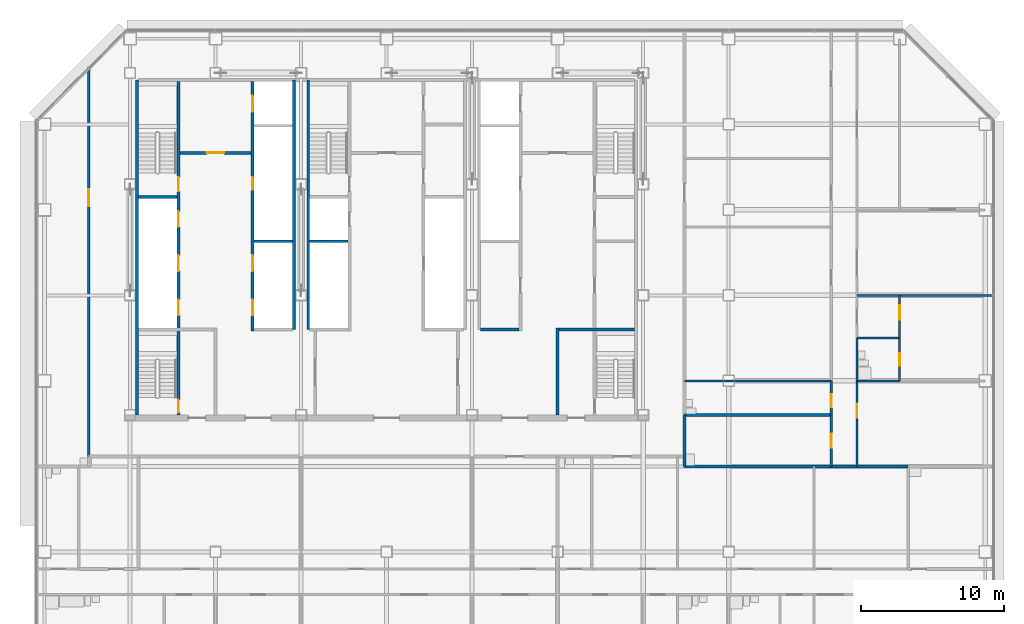
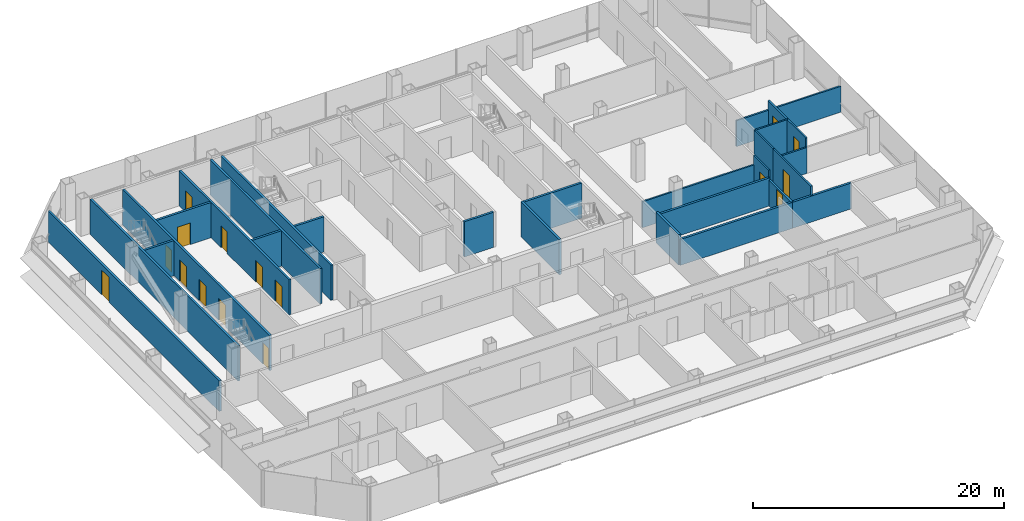
# One storey, part 22 of 27: 27 walls, 16 doors, 16 openings.
"""IFC4 building model written with IfcOpenShell, lengths in metres."""

from ifc_helpers import new_model, si_unit, direction, frame, frame_2d, origin, place, context, subcontext, project, spatial, rectangle, extrude, material, layer, layer_set, type_object, element, fill, save


model = new_model("IFC4")

# Units and contexts
model_context = context("Model", 3, precision=1e-05, world=origin(), true_north=direction((0.0, 1.0)))
body_context = subcontext(model_context, "Body", "Model", "MODEL_VIEW")
ifc_project = project(units=[si_unit("LENGTHUNIT", "METRE"), si_unit("AREAUNIT", "SQUARE_METRE"), si_unit("VOLUMEUNIT", "CUBIC_METRE"), si_unit("PLANEANGLEUNIT", "RADIAN"), si_unit("MASSUNIT", "GRAM", prefix="KILO")], contexts=[model_context])

# Site, building, storey
site_placement = place(None, origin())
site = spatial("IfcSite", under=ifc_project, at=site_placement, CompositionType="ELEMENT")
building_placement = place(site_placement, origin())
building = spatial("IfcBuilding", under=site, at=building_placement, Name="Sorahane Residences", CompositionType="ELEMENT")
storey_placement = place(building_placement, frame((0.0, 0.0, 57.0)))
storey = spatial("IfcBuildingStorey", under=building, at=storey_placement, Name="L10", CompositionType="ELEMENT", Elevation=57.0)

# Walls
ifc_material_1 = material(Name="Concrete C30", Category="concrete")
ifc_layer_1 = layer(ifc_material_1, 0.199951171875)
ifc_layer_set_1 = layer_set([ifc_layer_1], Name="Core face wall 200 EI 180")
wall_type_1 = type_object("IfcWallType", Name="Core face wall 200 EI 180", PredefinedType="SOLIDWALL", material=ifc_layer_set_1)
wall_1_placement = place(storey_placement, frame((6.5, 21.60009765625, 0.0), z_axis=(0.0, 0.0, 1.0), x_axis=(0.0, 1.0, 0.0)))
element("IfcWall", 1, at=wall_1_placement, inside=storey, type_object=wall_type_1, Name="L10 core face wall", PredefinedType="SOLIDWALL", context=body_context, shape_type="SweptSolid", body=[
    extrude(rectangle(XDim=23.5, YDim=0.199951171875, at=frame_2d((11.75, 0.0))), origin(), (0.0, 0.0, 1.0), 3.419921875),
])
for number, where, z_axis, x_axis, name in (
    (2, (17.5, 27.60009765625, 0.0), (0.0, 0.0, 1.0), (0.0, 1.0, 0.0), "L10 core face wall"),
    (3, (18.5, 27.60009765625, 0.0), (0.0, 0.0, 1.0), (0.0, 1.0, 0.0), "L10 core face wall"),
):
    element("IfcWall", number, at=place(storey_placement, frame(where, z_axis=z_axis, x_axis=x_axis)), inside=storey, type_object=wall_type_1, Name=name, PredefinedType="SOLIDWALL", context=body_context, shape_type="SweptSolid", body=[
        extrude(rectangle(XDim=17.5, YDim=0.199951171875, at=frame_2d((8.75, 0.0))), origin(), (0.0, 0.0, 1.0), 3.419921875),
    ])

# Wall, opening, door
ifc_material_2 = material(Name="Concrete blockwork C20 wall", Category="masonry")
ifc_layer_2 = layer(ifc_material_2, 0.199951171875)
ifc_layer_set_2 = layer_set([ifc_layer_2], Name="Corridor wall 200 EI 120")
wall_type_2 = type_object("IfcWallType", Name="Corridor wall 200 EI 120", PredefinedType="SOLIDWALL", material=ifc_layer_set_2)
wall_2_placement = place(storey_placement, frame((3.10009765625, 18.699951171875, 0.0), z_axis=(0.0, 0.0, 1.0), x_axis=(0.0, 1.0, 0.0)))
wall_2 = element("IfcWall", 4, at=wall_2_placement, inside=storey, type_object=wall_type_2, Name="L10 corridor wall", PredefinedType="SOLIDWALL", context=body_context, shape_type="SweptSolid", body=[
    extrude(rectangle(XDim=27.2490234375, YDim=0.199951171875, at=frame_2d((13.62451171875, 0.0))), origin(), (0.0, 0.0, 1.0), 2.969970703125),
])
opening_1_placement = place(wall_2_placement, frame((17.5400390625, 0.0, 0.0)))
opening_1 = element("IfcOpeningElement", 5, at=opening_1_placement, cuts=wall_2, Name="Opening L10-43", PredefinedType="OPENING", context=body_context, shape_type="SweptSolid", body=[
    extrude(rectangle(XDim=1.199951171875, YDim=2.39990234375, at=frame_2d((0.60009765625, 1.199951171875))), frame((0.0, 0.10986328125, 0.0), z_axis=(0.0, -1.0, 0.0), x_axis=(1.0, 0.0, 0.0)), (0.0, 0.0, 1.0), 0.219970703125),
])
ifc_material_3 = material(Name="Steel", Category="steel")
door_type_1 = type_object("IfcDoorType", Name="Lobby door 1200x2400 FD60", OperationType="NOTDEFINED", PredefinedType="DOOR", material=ifc_material_3)
door_1_placement = place(opening_1_placement, origin())
door_1 = element("IfcDoor", 6, at=door_1_placement, inside=storey, type_object=door_type_1, Name="Lobby door L10-43", OperationType="SINGLE_SWING_LEFT", OverallHeight=2.39990234375, OverallWidth=1.199951171875, PredefinedType="DOOR", context=body_context, shape_type="SweptSolid", body=[
    extrude(rectangle(XDim=1.199951171875, YDim=2.39990234375, at=frame_2d((0.60009765625, 1.199951171875))), frame((0.0, 0.02490234375, 0.0), z_axis=(0.0, -1.0, 0.0), x_axis=(1.0, 0.0, 0.0)), (0.0, 0.0, 1.0), 0.050048828125),
])
fill(opening_1, door_1)

# Wall
ifc_material_4 = material(Name="Concrete C30", Category="concrete")
ifc_layer_3 = layer(ifc_material_4, 0.199951171875)
ifc_layer_set_3 = layer_set([ifc_layer_3], Name="Front room wall 200 EI 120")
wall_type_3 = type_object("IfcWallType", Name="Front room wall 200 EI 120", PredefinedType="PARTITIONING", material=ifc_layer_set_3)
wall_3_placement = place(storey_placement, frame((36.0, 21.60009765625, 0.0), z_axis=(0.0, 0.0, 1.0), x_axis=(0.0, 1.0, 0.0)))
element("IfcWall", 7, at=wall_3_placement, inside=storey, type_object=wall_type_3, Name="L10 front room wall", PredefinedType="PARTITIONING", context=body_context, shape_type="SweptSolid", body=[
    extrude(rectangle(XDim=6.099853515625, YDim=0.199951171875, at=frame_2d((3.0498046875, 0.0))), origin(), (0.0, 0.0, 1.0), 3.419921875),
])

# Wall, opening, door
wall_4_placement = place(storey_placement, frame((9.5, 40.0, 0.0), z_axis=(0.0, 0.0, 1.0), x_axis=(1.0, 0.0, 0.0)))
wall_4 = element("IfcWall", 8, at=wall_4_placement, inside=storey, type_object=wall_type_3, Name="L10 front room wall", PredefinedType="PARTITIONING", context=body_context, shape_type="SweptSolid", body=[
    extrude(rectangle(XDim=5.0, YDim=0.199951171875, at=frame_2d((2.5, 0.0))), origin(), (0.0, 0.0, 1.0), 3.419921875),
])
opening_2_placement = place(wall_4_placement, frame((1.89990234375, 0.0, 0.0)))
opening_2 = element("IfcOpeningElement", 9, at=opening_2_placement, cuts=wall_4, Name="Opening L10-C08", PredefinedType="OPENING", context=body_context, shape_type="SweptSolid", body=[
    extrude(rectangle(XDim=1.199951171875, YDim=2.10009765625, at=frame_2d((0.60009765625, 1.050048828125))), frame((0.0, 0.10986328125, 0.0), z_axis=(0.0, -1.0, 0.0), x_axis=(1.0, 0.0, 0.0)), (0.0, 0.0, 1.0), 0.219970703125),
])
ifc_material_5 = material(Name="Steel", Category="steel")
door_type_2 = type_object("IfcDoorType", Name="Front room door 1200x2100 FD120", OperationType="NOTDEFINED", PredefinedType="DOOR", material=ifc_material_5)
door_2_placement = place(opening_2_placement, frame((1.199951171875, 0.0, 0.0), z_axis=(0.0, 0.0, 1.0), x_axis=(-1.0, 0.0, 0.0)))
door_2 = element("IfcDoor", 10, at=door_2_placement, inside=storey, type_object=door_type_2, Name="Front room door Firefighting lobby FF1 front room L10", OperationType="DOUBLE_DOOR_SINGLE_SWING", OverallHeight=2.10009765625, OverallWidth=1.199951171875, PredefinedType="DOOR", context=body_context, shape_type="SweptSolid", body=[
    extrude(rectangle(XDim=1.199951171875, YDim=2.10009765625, at=frame_2d((0.60009765625, 1.050048828125))), frame((0.0, 0.02490234375, 0.0), z_axis=(0.0, -1.0, 0.0), x_axis=(1.0, 0.0, 0.0)), (0.0, 0.0, 1.0), 0.050048828125),
])
fill(opening_2, door_2)

# Wall
ifc_material_6 = material(Name="Concrete blockwork C20 wall", Category="masonry")
ifc_layer_4 = layer(ifc_material_6, 0.199951171875)
ifc_layer_set_4 = layer_set([ifc_layer_4], Name="Kitchen wall 200 EI 180")
wall_type_4 = type_object("IfcWallType", Name="Kitchen wall 200 EI 180", PredefinedType="SOLIDWALL", material=ifc_layer_set_4)
wall_5_placement = place(storey_placement, frame((44.89990234375, 18.0, 0.0), z_axis=(0.0, 0.0, 1.0), x_axis=(0.0, 1.0, 0.0)))
element("IfcWall", 11, at=wall_5_placement, inside=storey, type_object=wall_type_4, Name="L10 kitchen wall", PredefinedType="SOLIDWALL", context=body_context, shape_type="SweptSolid", body=[
    extrude(rectangle(XDim=3.60009765625, YDim=0.199951171875, at=frame_2d((1.800048828125, 0.0))), origin(), (0.0, 0.0, 1.0), 2.969970703125),
])

# Wall, opening, door
wall_6_placement = place(storey_placement, frame((55.199951171875, 18.0, 0.0), z_axis=(0.0, 0.0, 1.0), x_axis=(0.0, 1.0, 0.0)))
wall_6 = element("IfcWall", 12, at=wall_6_placement, inside=storey, type_object=wall_type_4, Name="L10 kitchen wall", PredefinedType="SOLIDWALL", context=body_context, shape_type="SweptSolid", body=[
    extrude(rectangle(XDim=3.60009765625, YDim=0.199951171875, at=frame_2d((1.800048828125, 0.0))), origin(), (0.0, 0.0, 1.0), 2.52001953125),
])
opening_3_placement = place(wall_6_placement, frame((1.300048828125, 0.0, 0.0)))
opening_3 = element("IfcOpeningElement", 13, at=opening_3_placement, cuts=wall_6, Name="Opening L10-29", PredefinedType="OPENING", context=body_context, shape_type="SweptSolid", body=[
    extrude(rectangle(XDim=1.0, YDim=2.39990234375, at=frame_2d((0.5, 1.199951171875))), frame((0.0, 0.10986328125, 0.0), z_axis=(0.0, -1.0, 0.0), x_axis=(1.0, 0.0, 0.0)), (0.0, 0.0, 1.0), 0.219970703125),
])
ifc_material_7 = material(Name="Steel", Category="steel")
door_type_3 = type_object("IfcDoorType", Name="Kitchen door 1000x2400 FD120", OperationType="NOTDEFINED", PredefinedType="DOOR", material=ifc_material_7)
door_3_placement = place(opening_3_placement, origin())
door_3 = element("IfcDoor", 14, at=door_3_placement, inside=storey, type_object=door_type_3, Name="Kitchen door L10-29", OperationType="SINGLE_SWING_RIGHT", OverallHeight=2.39990234375, OverallWidth=1.0, PredefinedType="DOOR", context=body_context, shape_type="SweptSolid", body=[
    extrude(rectangle(XDim=1.0, YDim=2.39990234375, at=frame_2d((0.5, 1.199951171875))), frame((0.0, 0.02490234375, 0.0), z_axis=(0.0, -1.0, 0.0), x_axis=(1.0, 0.0, 0.0)), (0.0, 0.0, 1.0), 0.050048828125),
])
fill(opening_3, door_3)

# Walls
wall_7_placement = place(storey_placement, frame((44.89990234375, 18.0, 0.0), z_axis=(0.0, 0.0, 1.0), x_axis=(1.0, 0.0, 0.0)))
element("IfcWall", 15, at=wall_7_placement, inside=storey, type_object=wall_type_4, Name="L10 kitchen wall", PredefinedType="SOLIDWALL", context=body_context, shape_type="SweptSolid", body=[
    extrude(rectangle(XDim=10.300048828125, YDim=0.199951171875, at=frame_2d((5.14990234375, 0.0))), origin(), (0.0, 0.0, 1.0), 2.52001953125),
])
wall_8_placement = place(storey_placement, frame((44.89990234375, 21.60009765625, 0.0), z_axis=(0.0, 0.0, 1.0), x_axis=(1.0, 0.0, 0.0)))
element("IfcWall", 16, at=wall_8_placement, inside=storey, type_object=wall_type_4, Name="L10 kitchen wall", PredefinedType="SOLIDWALL", context=body_context, shape_type="SweptSolid", body=[
    extrude(rectangle(XDim=10.300048828125, YDim=0.199951171875, at=frame_2d((5.14990234375, 0.0))), origin(), (0.0, 0.0, 1.0), 2.719970703125),
])

# Wall, openings, doors
ifc_material_8 = material(Name="Concrete C30", Category="concrete")
ifc_layer_5 = layer(ifc_material_8, 0.199951171875)
ifc_layer_set_5 = layer_set([ifc_layer_5], Name="Lift shaft wall 200 EI 120")
wall_type_5 = type_object("IfcWallType", Name="Lift shaft wall 200 EI 120", PredefinedType="SOLIDWALL", material=ifc_layer_set_5)
wall_9_placement = place(storey_placement, frame((14.60009765625, 27.5, 0.0), z_axis=(0.0, 0.0, 1.0), x_axis=(0.0, 1.0, 0.0)))
wall_9 = element("IfcWall", 17, at=wall_9_placement, inside=storey, type_object=wall_type_5, Name="L10 lift shaft wall", PredefinedType="SOLIDWALL", context=body_context, shape_type="SweptSolid", body=[
    extrude(rectangle(XDim=17.5, YDim=0.199951171875, at=frame_2d((8.75, 0.0))), origin(), (0.0, 0.0, 1.0), 3.419921875),
])
opening_4_placement = place(wall_9_placement, frame((1.10009765625, 0.0, 0.0)))
opening_4 = element("IfcOpeningElement", 18, at=opening_4_placement, cuts=wall_9, Name="Opening L10-C12", PredefinedType="OPENING", context=body_context, shape_type="SweptSolid", body=[
    extrude(rectangle(XDim=1.10009765625, YDim=2.10009765625, at=frame_2d((0.550048828125, 1.050048828125))), frame((0.0, 0.10986328125, 0.0), z_axis=(0.0, -1.0, 0.0), x_axis=(1.0, 0.0, 0.0)), (0.0, 0.0, 1.0), 0.219970703125),
])
opening_5_placement = place(wall_9_placement, frame((4.199951171875, 0.0, 0.0)))
opening_5 = element("IfcOpeningElement", 19, at=opening_5_placement, cuts=wall_9, Name="Opening L10-C13", PredefinedType="OPENING", context=body_context, shape_type="SweptSolid", body=[
    extrude(rectangle(XDim=1.10009765625, YDim=2.10009765625, at=frame_2d((0.550048828125, 1.050048828125))), frame((0.0, 0.10986328125, 0.0), z_axis=(0.0, -1.0, 0.0), x_axis=(1.0, 0.0, 0.0)), (0.0, 0.0, 1.0), 0.219970703125),
])
opening_6_placement = place(wall_9_placement, frame((15.39990234375, 0.0, 0.0)))
opening_6 = element("IfcOpeningElement", 20, at=opening_6_placement, cuts=wall_9, Name="Opening L10-C14", PredefinedType="OPENING", context=body_context, shape_type="SweptSolid", body=[
    extrude(rectangle(XDim=1.10009765625, YDim=2.10009765625, at=frame_2d((0.550048828125, 1.050048828125))), frame((0.0, 0.10986328125, 0.0), z_axis=(0.0, -1.0, 0.0), x_axis=(1.0, 0.0, 0.0)), (0.0, 0.0, 1.0), 0.219970703125),
])
opening_7_placement = place(wall_9_placement, frame((9.89990234375, 0.0, 0.0)))
opening_7 = element("IfcOpeningElement", 21, at=opening_7_placement, cuts=wall_9, Name="Opening L10-C26", PredefinedType="OPENING", context=body_context, shape_type="SweptSolid", body=[
    extrude(rectangle(XDim=0.89990234375, YDim=2.10009765625, at=frame_2d((0.449951171875, 1.050048828125))), frame((0.0, 0.10986328125, 0.0), z_axis=(0.0, -1.0, 0.0), x_axis=(1.0, 0.0, 0.0)), (0.0, 0.0, 1.0), 0.219970703125),
])
ifc_material_9 = material(Name="Aluminium and stainless steel", Category="steel")
door_type_4 = type_object("IfcDoorType", Name="Lift landing door 1100x2100 E 60", OperationType="NOTDEFINED", PredefinedType="DOOR", material=ifc_material_9)
door_4_placement = place(opening_4_placement, origin())
door_4 = element("IfcDoor", 22, at=door_4_placement, inside=storey, type_object=door_type_4, Name="Lift landing door LR4 L10", OperationType="DOUBLE_DOOR_SLIDING", OverallHeight=2.10009765625, OverallWidth=1.10009765625, PredefinedType="DOOR", context=body_context, shape_type="SweptSolid", body=[
    extrude(rectangle(XDim=1.10009765625, YDim=2.10009765625, at=frame_2d((0.550048828125, 1.050048828125))), frame((0.0, 0.02490234375, 0.0), z_axis=(0.0, -1.0, 0.0), x_axis=(1.0, 0.0, 0.0)), (0.0, 0.0, 1.0), 0.050048828125),
])
fill(opening_4, door_4)
door_5_placement = place(opening_5_placement, origin())
door_5 = element("IfcDoor", 23, at=door_5_placement, inside=storey, type_object=door_type_4, Name="Lift landing door LR5 L10", OperationType="DOUBLE_DOOR_SLIDING", OverallHeight=2.10009765625, OverallWidth=1.10009765625, PredefinedType="DOOR", context=body_context, shape_type="SweptSolid", body=[
    extrude(rectangle(XDim=1.10009765625, YDim=2.10009765625, at=frame_2d((0.550048828125, 1.050048828125))), frame((0.0, 0.02490234375, 0.0), z_axis=(0.0, -1.0, 0.0), x_axis=(1.0, 0.0, 0.0)), (0.0, 0.0, 1.0), 0.050048828125),
])
fill(opening_5, door_5)
door_6_placement = place(opening_6_placement, origin())
door_6 = element("IfcDoor", 24, at=door_6_placement, inside=storey, type_object=door_type_4, Name="Lift landing door FF1 L10", OperationType="DOUBLE_DOOR_SLIDING", OverallHeight=2.10009765625, OverallWidth=1.10009765625, PredefinedType="DOOR", context=body_context, shape_type="SweptSolid", body=[
    extrude(rectangle(XDim=1.10009765625, YDim=2.10009765625, at=frame_2d((0.550048828125, 1.050048828125))), frame((0.0, 0.02490234375, 0.0), z_axis=(0.0, -1.0, 0.0), x_axis=(1.0, 0.0, 0.0)), (0.0, 0.0, 1.0), 0.050048828125),
])
fill(opening_6, door_6)
ifc_material_10 = material(Name="Steel", Category="steel")
door_type_5 = type_object("IfcDoorType", Name="Riser door 900x2100 FD120", OperationType="NOTDEFINED", PredefinedType="DOOR", material=ifc_material_10)
door_7_placement = place(opening_7_placement, origin())
door_7 = element("IfcDoor", 25, at=door_7_placement, inside=storey, type_object=door_type_5, Name="Riser door R1 L10", OperationType="SINGLE_SWING_LEFT", OverallHeight=2.10009765625, OverallWidth=0.89990234375, PredefinedType="DOOR", context=body_context, shape_type="SweptSolid", body=[
    extrude(rectangle(XDim=0.89990234375, YDim=2.10009765625, at=frame_2d((0.449951171875, 1.050048828125))), frame((0.0, 0.02490234375, 0.0), z_axis=(0.0, -1.0, 0.0), x_axis=(1.0, 0.0, 0.0)), (0.0, 0.0, 1.0), 0.050048828125),
])
fill(opening_7, door_7)

# Walls
for number, where, z_axis, x_axis, name in (
    (26, (14.699951171875, 33.800048828125, 0.0), (0.0, 0.0, 1.0), (1.0, 0.0, 0.0), "L10 lift shaft wall"),
    (27, (18.60009765625, 33.800048828125, 0.0), (0.0, 0.0, 1.0), (1.0, 0.0, 0.0), "L10 lift shaft wall"),
):
    element("IfcWall", number, at=place(storey_placement, frame(where, z_axis=z_axis, x_axis=x_axis)), inside=storey, type_object=wall_type_5, Name=name, PredefinedType="SOLIDWALL", context=body_context, shape_type="SweptSolid", body=[
        extrude(rectangle(XDim=2.699951171875, YDim=0.199951171875, at=frame_2d((1.35009765625, 0.0))), origin(), (0.0, 0.0, 1.0), 3.419921875),
    ])

# Wall, opening, door
ifc_material_11 = material(Name="Gypsum board partition on steel studs", Category="steel")
ifc_layer_6 = layer(ifc_material_11, 0.14990234375)
ifc_layer_set_6 = layer_set([ifc_layer_6], Name="Partition 150 EI 90")
wall_type_6 = type_object("IfcWallType", Name="Partition 150 EI 90", PredefinedType="PARTITIONING", material=ifc_layer_set_6)
wall_10_placement = place(storey_placement, frame((57.0, 18.0, 0.0), z_axis=(0.0, 0.0, 1.0), x_axis=(0.0, 1.0, 0.0)))
wall_10 = element("IfcWall", 28, at=wall_10_placement, inside=storey, type_object=wall_type_6, Name="L10 partition", PredefinedType="PARTITIONING", context=body_context, shape_type="SweptSolid", body=[
    extrude(rectangle(XDim=6.0, YDim=0.14990234375, at=frame_2d((3.0, 0.0))), origin(), (0.0, 0.0, 1.0), 3.419921875),
])
opening_8_placement = place(wall_10_placement, frame((3.39990234375, 0.0, 0.0)))
opening_8 = element("IfcOpeningElement", 29, at=opening_8_placement, cuts=wall_10, Name="Opening L10-33", PredefinedType="OPENING", context=body_context, shape_type="SweptSolid", body=[
    extrude(rectangle(XDim=1.0, YDim=2.39990234375, at=frame_2d((0.5, 1.199951171875))), frame((0.0, 0.0849609375, 0.0), z_axis=(0.0, -1.0, 0.0), x_axis=(1.0, 0.0, 0.0)), (0.0, 0.0, 1.0), 0.169921875),
])
ifc_material_12 = material(Name="Timber veneered fire door", Category="wood")
door_type_6 = type_object("IfcDoorType", Name="Room door 1000x2400 FD30", OperationType="NOTDEFINED", PredefinedType="DOOR", material=ifc_material_12)
door_8_placement = place(opening_8_placement, frame((1.0, 0.0, 0.0), z_axis=(0.0, 0.0, 1.0), x_axis=(-1.0, 0.0, 0.0)))
door_8 = element("IfcDoor", 30, at=door_8_placement, inside=storey, type_object=door_type_6, Name="Room door L10-33", OperationType="SINGLE_SWING_LEFT", OverallHeight=2.39990234375, OverallWidth=1.0, PredefinedType="DOOR", context=body_context, shape_type="SweptSolid", body=[
    extrude(rectangle(XDim=1.0, YDim=2.39990234375, at=frame_2d((0.5, 1.199951171875))), frame((0.0, 0.02490234375, 0.0), z_axis=(0.0, -1.0, 0.0), x_axis=(1.0, 0.0, 0.0)), (0.0, 0.0, 1.0), 0.050048828125),
])
fill(opening_8, door_8)

wall_11_placement = place(storey_placement, frame((60.0, 27.0, 0.0), z_axis=(0.0, 0.0, 1.0), x_axis=(0.0, 1.0, 0.0)))
wall_11 = element("IfcWall", 31, at=wall_11_placement, inside=storey, type_object=wall_type_6, Name="L10 partition", PredefinedType="PARTITIONING", context=body_context, shape_type="SweptSolid", body=[
    extrude(rectangle(XDim=3.0, YDim=0.14990234375, at=frame_2d((1.5, 0.0))), origin(), (0.0, 0.0, 1.0), 3.419921875),
])
opening_9_placement = place(wall_11_placement, frame((1.300048828125, 0.0, 0.0)))
opening_9 = element("IfcOpeningElement", 32, at=opening_9_placement, cuts=wall_11, Name="Opening L10-38", PredefinedType="OPENING", context=body_context, shape_type="SweptSolid", body=[
    extrude(rectangle(XDim=1.0, YDim=2.39990234375, at=frame_2d((0.5, 1.199951171875))), frame((0.0, 0.0849609375, 0.0), z_axis=(0.0, -1.0, 0.0), x_axis=(1.0, 0.0, 0.0)), (0.0, 0.0, 1.0), 0.169921875),
])
door_9_placement = place(opening_9_placement, frame((1.0, 0.0, 0.0), z_axis=(0.0, 0.0, 1.0), x_axis=(-1.0, 0.0, 0.0)))
door_9 = element("IfcDoor", 33, at=door_9_placement, inside=storey, type_object=door_type_6, Name="Room door L10-38", OperationType="SINGLE_SWING_RIGHT", OverallHeight=2.39990234375, OverallWidth=1.0, PredefinedType="DOOR", context=body_context, shape_type="SweptSolid", body=[
    extrude(rectangle(XDim=1.0, YDim=2.39990234375, at=frame_2d((0.5, 1.199951171875))), frame((0.0, 0.02490234375, 0.0), z_axis=(0.0, -1.0, 0.0), x_axis=(1.0, 0.0, 0.0)), (0.0, 0.0, 1.0), 0.050048828125),
])
fill(opening_9, door_9)

# Walls
wall_12_placement = place(storey_placement, frame((57.0, 30.0, 0.0), z_axis=(0.0, 0.0, 1.0), x_axis=(1.0, 0.0, 0.0)))
element("IfcWall", 34, at=wall_12_placement, inside=storey, type_object=wall_type_6, Name="L10 partition", PredefinedType="PARTITIONING", context=body_context, shape_type="SweptSolid", body=[
    extrude(rectangle(XDim=9.60009765625, YDim=0.14990234375, at=frame_2d((4.800048828125, 0.0))), origin(), (0.0, 0.0, 1.0), 2.52001953125),
])
ifc_material_13 = material(Name="Concrete blockwork C20 wall", Category="masonry")
ifc_layer_7 = layer(ifc_material_13, 0.199951171875)
ifc_layer_set_7 = layer_set([ifc_layer_7], Name="Party wall 200 EI 120")
wall_type_7 = type_object("IfcWallType", Name="Party wall 200 EI 120", PredefinedType="SOLIDWALL", material=ifc_layer_set_7)
wall_13_placement = place(storey_placement, frame((55.199951171875, 18.0, 0.0), z_axis=(0.0, 0.0, 1.0), x_axis=(1.0, 0.0, 0.0)))
element("IfcWall", 35, at=wall_13_placement, inside=storey, type_object=wall_type_7, Name="L10 party wall", PredefinedType="SOLIDWALL", context=body_context, shape_type="SweptSolid", body=[
    extrude(rectangle(XDim=5.400146484375, YDim=0.199951171875, at=frame_2d((2.7001953125, 0.0))), origin(), (0.0, 0.0, 1.0), 2.52001953125),
])
ifc_material_14 = material(Name="Concrete C30", Category="concrete")
ifc_layer_8 = layer(ifc_material_14, 0.199951171875)
ifc_layer_set_8 = layer_set([ifc_layer_8], Name="Service room partition 200 EI 60")
wall_type_8 = type_object("IfcWallType", Name="Service room partition 200 EI 60", PredefinedType="PARTITIONING", material=ifc_layer_set_8)
wall_14_placement = place(storey_placement, frame((30.60009765625, 27.60009765625, 0.0), z_axis=(0.0, 0.0, 1.0), x_axis=(1.0, 0.0, 0.0)))
element("IfcWall", 36, at=wall_14_placement, inside=storey, type_object=wall_type_8, Name="L10 service room wall", PredefinedType="PARTITIONING", context=body_context, shape_type="SweptSolid", body=[
    extrude(rectangle(XDim=2.699951171875, YDim=0.199951171875, at=frame_2d((1.35009765625, 0.0))), origin(), (0.0, 0.0, 1.0), 3.419921875),
])

# Wall, openings, doors
ifc_material_15 = material(Name="Concrete C30", Category="concrete")
ifc_layer_9 = layer(ifc_material_15, 0.199951171875)
ifc_layer_set_9 = layer_set([ifc_layer_9], Name="Stair enclosure wall 200 EI 120")
wall_type_9 = type_object("IfcWallType", Name="Stair enclosure wall 200 EI 120", PredefinedType="SOLIDWALL", material=ifc_layer_set_9)
wall_15_placement = place(storey_placement, frame((9.39990234375, 21.60009765625, 0.0), z_axis=(0.0, 0.0, 1.0), x_axis=(0.0, 1.0, 0.0)))
wall_15 = element("IfcWall", 37, at=wall_15_placement, inside=storey, type_object=wall_type_9, Name="L10 stair enclosure wall", PredefinedType="SOLIDWALL", context=body_context, shape_type="SweptSolid", body=[
    extrude(rectangle(XDim=23.39990234375, YDim=0.199951171875, at=frame_2d((11.699951171875, 0.0))), origin(), (0.0, 0.0, 1.0), 3.419921875),
])
opening_10_placement = place(wall_15_placement, frame((7.0, 0.0, 0.0)))
opening_10 = element("IfcOpeningElement", 38, at=opening_10_placement, cuts=wall_15, Name="Opening L10-C15", PredefinedType="OPENING", context=body_context, shape_type="SweptSolid", body=[
    extrude(rectangle(XDim=1.10009765625, YDim=2.10009765625, at=frame_2d((0.550048828125, 1.050048828125))), frame((0.0, 0.10986328125, 0.0), z_axis=(0.0, -1.0, 0.0), x_axis=(1.0, 0.0, 0.0)), (0.0, 0.0, 1.0), 0.219970703125),
])
opening_11_placement = place(wall_15_placement, frame((10.10009765625, 0.0, 0.0)))
opening_11 = element("IfcOpeningElement", 39, at=opening_11_placement, cuts=wall_15, Name="Opening L10-C16", PredefinedType="OPENING", context=body_context, shape_type="SweptSolid", body=[
    extrude(rectangle(XDim=1.10009765625, YDim=2.10009765625, at=frame_2d((0.550048828125, 1.050048828125))), frame((0.0, 0.10986328125, 0.0), z_axis=(0.0, -1.0, 0.0), x_axis=(1.0, 0.0, 0.0)), (0.0, 0.0, 1.0), 0.219970703125),
])
opening_12_placement = place(wall_15_placement, frame((13.199951171875, 0.0, 0.0)))
opening_12 = element("IfcOpeningElement", 40, at=opening_12_placement, cuts=wall_15, Name="Opening L10-C17", PredefinedType="OPENING", context=body_context, shape_type="SweptSolid", body=[
    extrude(rectangle(XDim=1.10009765625, YDim=2.10009765625, at=frame_2d((0.550048828125, 1.050048828125))), frame((0.0, 0.10986328125, 0.0), z_axis=(0.0, -1.0, 0.0), x_axis=(1.0, 0.0, 0.0)), (0.0, 0.0, 1.0), 0.219970703125),
])
opening_13_placement = place(wall_15_placement, frame((15.699951171875, 0.0, 0.0)))
opening_13 = element("IfcOpeningElement", 41, at=opening_13_placement, cuts=wall_15, Name="Opening L10-C21", PredefinedType="OPENING", context=body_context, shape_type="SweptSolid", body=[
    extrude(rectangle(XDim=1.0, YDim=2.10009765625, at=frame_2d((0.5, 1.050048828125))), frame((0.0, 0.10986328125, 0.0), z_axis=(0.0, -1.0, 0.0), x_axis=(1.0, 0.0, 0.0)), (0.0, 0.0, 1.0), 0.219970703125),
])
opening_14_placement = place(wall_15_placement, frame((0.175048828125, 0.0, 0.0)))
opening_14 = element("IfcOpeningElement", 42, at=opening_14_placement, cuts=wall_15, Name="Opening L10-C24", PredefinedType="OPENING", context=body_context, shape_type="SweptSolid", body=[
    extrude(rectangle(XDim=0.89990234375, YDim=2.10009765625, at=frame_2d((0.449951171875, 1.050048828125))), frame((0.0, 0.10986328125, 0.0), z_axis=(0.0, -1.0, 0.0), x_axis=(1.0, 0.0, 0.0)), (0.0, 0.0, 1.0), 0.219970703125),
])
door_10_placement = place(opening_10_placement, origin())
door_10 = element("IfcDoor", 43, at=door_10_placement, inside=storey, type_object=door_type_4, Name="Lift landing door LR1 L10", OperationType="DOUBLE_DOOR_SLIDING", OverallHeight=2.10009765625, OverallWidth=1.10009765625, PredefinedType="DOOR", context=body_context, shape_type="SweptSolid", body=[
    extrude(rectangle(XDim=1.10009765625, YDim=2.10009765625, at=frame_2d((0.550048828125, 1.050048828125))), frame((0.0, 0.02490234375, 0.0), z_axis=(0.0, -1.0, 0.0), x_axis=(1.0, 0.0, 0.0)), (0.0, 0.0, 1.0), 0.050048828125),
])
fill(opening_10, door_10)
door_11_placement = place(opening_11_placement, origin())
door_11 = element("IfcDoor", 44, at=door_11_placement, inside=storey, type_object=door_type_4, Name="Lift landing door LR2 L10", OperationType="DOUBLE_DOOR_SLIDING", OverallHeight=2.10009765625, OverallWidth=1.10009765625, PredefinedType="DOOR", context=body_context, shape_type="SweptSolid", body=[
    extrude(rectangle(XDim=1.10009765625, YDim=2.10009765625, at=frame_2d((0.550048828125, 1.050048828125))), frame((0.0, 0.02490234375, 0.0), z_axis=(0.0, -1.0, 0.0), x_axis=(1.0, 0.0, 0.0)), (0.0, 0.0, 1.0), 0.050048828125),
])
fill(opening_11, door_11)
door_12_placement = place(opening_12_placement, origin())
door_12 = element("IfcDoor", 45, at=door_12_placement, inside=storey, type_object=door_type_4, Name="Lift landing door LR3 L10", OperationType="DOUBLE_DOOR_SLIDING", OverallHeight=2.10009765625, OverallWidth=1.10009765625, PredefinedType="DOOR", context=body_context, shape_type="SweptSolid", body=[
    extrude(rectangle(XDim=1.10009765625, YDim=2.10009765625, at=frame_2d((0.550048828125, 1.050048828125))), frame((0.0, 0.02490234375, 0.0), z_axis=(0.0, -1.0, 0.0), x_axis=(1.0, 0.0, 0.0)), (0.0, 0.0, 1.0), 0.050048828125),
])
fill(opening_12, door_12)
ifc_material_16 = material(Name="Steel", Category="steel")
door_type_7 = type_object("IfcDoorType", Name="Stair door 1000x2100 FD120", OperationType="NOTDEFINED", PredefinedType="DOOR", material=ifc_material_16)
door_13_placement = place(opening_13_placement, origin())
door_13 = element("IfcDoor", 46, at=door_13_placement, inside=storey, type_object=door_type_7, Name="Stair door S1 L10", OperationType="SINGLE_SWING_LEFT", OverallHeight=2.10009765625, OverallWidth=1.0, PredefinedType="DOOR", context=body_context, shape_type="SweptSolid", body=[
    extrude(rectangle(XDim=1.0, YDim=2.10009765625, at=frame_2d((0.5, 1.050048828125))), frame((0.0, 0.02490234375, 0.0), z_axis=(0.0, -1.0, 0.0), x_axis=(1.0, 0.0, 0.0)), (0.0, 0.0, 1.0), 0.050048828125),
])
fill(opening_13, door_13)
ifc_material_17 = material(Name="Steel", Category="steel")
door_type_8 = type_object("IfcDoorType", Name="Stair door 900x2100 FD120", OperationType="NOTDEFINED", PredefinedType="DOOR", material=ifc_material_17)
door_14_placement = place(opening_14_placement, origin())
door_14 = element("IfcDoor", 47, at=door_14_placement, inside=storey, type_object=door_type_8, Name="Stair door S4 L10", OperationType="SINGLE_SWING_LEFT", OverallHeight=2.10009765625, OverallWidth=0.89990234375, PredefinedType="DOOR", context=body_context, shape_type="SweptSolid", body=[
    extrude(rectangle(XDim=0.89990234375, YDim=2.10009765625, at=frame_2d((0.449951171875, 1.050048828125))), frame((0.0, 0.02490234375, 0.0), z_axis=(0.0, -1.0, 0.0), x_axis=(1.0, 0.0, 0.0)), (0.0, 0.0, 1.0), 0.050048828125),
])
fill(opening_14, door_14)

# Walls
wall_16_placement = place(storey_placement, frame((36.10009765625, 27.60009765625, 0.0), z_axis=(0.0, 0.0, 1.0), x_axis=(1.0, 0.0, 0.0)))
element("IfcWall", 48, at=wall_16_placement, inside=storey, type_object=wall_type_9, Name="L10 stair enclosure wall", PredefinedType="SOLIDWALL", context=body_context, shape_type="SweptSolid", body=[
    extrude(rectangle(XDim=5.2998046875, YDim=0.199951171875, at=frame_2d((2.64990234375, 0.0))), origin(), (0.0, 0.0, 1.0), 3.419921875),
])
wall_17_placement = place(storey_placement, frame((6.60009765625, 36.89990234375, 0.0), z_axis=(0.0, 0.0, 1.0), x_axis=(1.0, 0.0, 0.0)))
element("IfcWall", 49, at=wall_17_placement, inside=storey, type_object=wall_type_9, Name="L10 stair enclosure wall", PredefinedType="SOLIDWALL", context=body_context, shape_type="SweptSolid", body=[
    extrude(rectangle(XDim=2.699951171875, YDim=0.199951171875, at=frame_2d((1.35009765625, 0.0))), origin(), (0.0, 0.0, 1.0), 3.419921875),
])

# Wall, opening, door
ifc_material_18 = material(Name="Gypsum board partition on steel studs", Category="steel")
ifc_layer_10 = layer(ifc_material_18, 0.14990234375)
ifc_layer_set_10 = layer_set([ifc_layer_10], Name="Wet wall 150 EI 90")
wall_type_10 = type_object("IfcWallType", Name="Wet wall 150 EI 90", PredefinedType="PARTITIONING", material=ifc_layer_set_10)
wall_18_placement = place(storey_placement, frame((55.199951171875, 21.60009765625, 0.0), z_axis=(0.0, 0.0, 1.0), x_axis=(0.0, 1.0, 0.0)))
wall_18 = element("IfcWall", 50, at=wall_18_placement, inside=storey, type_object=wall_type_10, Name="L10 wet wall", PredefinedType="PARTITIONING", context=body_context, shape_type="SweptSolid", body=[
    extrude(rectangle(XDim=2.39990234375, YDim=0.14990234375, at=frame_2d((1.199951171875, 0.0))), origin(), (0.0, 0.0, 1.0), 3.419921875),
])
opening_15_placement = place(wall_18_placement, frame((0.550048828125, 0.0, 0.0)))
opening_15 = element("IfcOpeningElement", 51, at=opening_15_placement, cuts=wall_18, Name="Opening L10-30", PredefinedType="OPENING", context=body_context, shape_type="SweptSolid", body=[
    extrude(rectangle(XDim=0.89990234375, YDim=2.39990234375, at=frame_2d((0.449951171875, 1.199951171875))), frame((0.0, 0.0849609375, 0.0), z_axis=(0.0, -1.0, 0.0), x_axis=(1.0, 0.0, 0.0)), (0.0, 0.0, 1.0), 0.169921875),
])
ifc_material_19 = material(Name="Timber veneered fire door", Category="wood")
door_type_9 = type_object("IfcDoorType", Name="Bathroom door 900x2400 FD30", OperationType="NOTDEFINED", PredefinedType="DOOR", material=ifc_material_19)
door_15_placement = place(opening_15_placement, frame((0.89990234375, 0.0, 0.0), z_axis=(0.0, 0.0, 1.0), x_axis=(-1.0, 0.0, 0.0)))
door_15 = element("IfcDoor", 52, at=door_15_placement, inside=storey, type_object=door_type_9, Name="Bathroom door L10-30", OperationType="SINGLE_SWING_RIGHT", OverallHeight=2.39990234375, OverallWidth=0.89990234375, PredefinedType="DOOR", context=body_context, shape_type="SweptSolid", body=[
    extrude(rectangle(XDim=0.89990234375, YDim=2.39990234375, at=frame_2d((0.449951171875, 1.199951171875))), frame((0.0, 0.02490234375, 0.0), z_axis=(0.0, -1.0, 0.0), x_axis=(1.0, 0.0, 0.0)), (0.0, 0.0, 1.0), 0.050048828125),
])
fill(opening_15, door_15)

# Wall
wall_19_placement = place(storey_placement, frame((57.0, 24.0, 0.0), z_axis=(0.0, 0.0, 1.0), x_axis=(0.0, 1.0, 0.0)))
element("IfcWall", 53, at=wall_19_placement, inside=storey, type_object=wall_type_10, Name="L10 wet wall", PredefinedType="PARTITIONING", context=body_context, shape_type="SweptSolid", body=[
    extrude(rectangle(XDim=3.0, YDim=0.14990234375, at=frame_2d((1.5, 0.0))), origin(), (0.0, 0.0, 1.0), 3.419921875),
])

# Wall, opening, door
wall_20_placement = place(storey_placement, frame((60.0, 24.0, 0.0), z_axis=(0.0, 0.0, 1.0), x_axis=(0.0, 1.0, 0.0)))
wall_20 = element("IfcWall", 54, at=wall_20_placement, inside=storey, type_object=wall_type_10, Name="L10 wet wall", PredefinedType="PARTITIONING", context=body_context, shape_type="SweptSolid", body=[
    extrude(rectangle(XDim=3.0, YDim=0.14990234375, at=frame_2d((1.5, 0.0))), origin(), (0.0, 0.0, 1.0), 3.419921875),
])
opening_16_placement = place(wall_20_placement, frame((1.050048828125, 0.0, 0.0)))
opening_16 = element("IfcOpeningElement", 55, at=opening_16_placement, cuts=wall_20, Name="Opening L10-39", PredefinedType="OPENING", context=body_context, shape_type="SweptSolid", body=[
    extrude(rectangle(XDim=0.89990234375, YDim=2.39990234375, at=frame_2d((0.449951171875, 1.199951171875))), frame((0.0, 0.0849609375, 0.0), z_axis=(0.0, -1.0, 0.0), x_axis=(1.0, 0.0, 0.0)), (0.0, 0.0, 1.0), 0.169921875),
])
door_16_placement = place(opening_16_placement, frame((0.89990234375, 0.0, 0.0), z_axis=(0.0, 0.0, 1.0), x_axis=(-1.0, 0.0, 0.0)))
door_16 = element("IfcDoor", 56, at=door_16_placement, inside=storey, type_object=door_type_9, Name="Bathroom door L10-39", OperationType="SINGLE_SWING_RIGHT", OverallHeight=2.39990234375, OverallWidth=0.89990234375, PredefinedType="DOOR", context=body_context, shape_type="SweptSolid", body=[
    extrude(rectangle(XDim=0.89990234375, YDim=2.39990234375, at=frame_2d((0.449951171875, 1.199951171875))), frame((0.0, 0.02490234375, 0.0), z_axis=(0.0, -1.0, 0.0), x_axis=(1.0, 0.0, 0.0)), (0.0, 0.0, 1.0), 0.050048828125),
])
fill(opening_16, door_16)

# Walls
wall_21_placement = place(storey_placement, frame((44.89990234375, 24.0, 0.0), z_axis=(0.0, 0.0, 1.0), x_axis=(1.0, 0.0, 0.0)))
element("IfcWall", 57, at=wall_21_placement, inside=storey, type_object=wall_type_10, Name="L10 wet wall", PredefinedType="PARTITIONING", context=body_context, shape_type="SweptSolid", body=[
    extrude(rectangle(XDim=10.300048828125, YDim=0.14990234375, at=frame_2d((5.14990234375, 0.0))), origin(), (0.0, 0.0, 1.0), 2.52001953125),
])
wall_22_placement = place(storey_placement, frame((57.0, 24.0, 0.0), z_axis=(0.0, 0.0, 1.0), x_axis=(1.0, 0.0, 0.0)))
element("IfcWall", 58, at=wall_22_placement, inside=storey, type_object=wall_type_10, Name="L10 wet wall", PredefinedType="PARTITIONING", context=body_context, shape_type="SweptSolid", body=[
    extrude(rectangle(XDim=3.0, YDim=0.14990234375, at=frame_2d((1.5, 0.0))), origin(), (0.0, 0.0, 1.0), 2.52001953125),
])
wall_23_placement = place(storey_placement, frame((57.0, 27.0, 0.0), z_axis=(0.0, 0.0, 1.0), x_axis=(1.0, 0.0, 0.0)))
element("IfcWall", 59, at=wall_23_placement, inside=storey, type_object=wall_type_10, Name="L10 wet wall", PredefinedType="PARTITIONING", context=body_context, shape_type="SweptSolid", body=[
    extrude(rectangle(XDim=3.0, YDim=0.14990234375, at=frame_2d((1.5, 0.0))), origin(), (0.0, 0.0, 1.0), 3.419921875),
])

save(model, "model.ifc")
